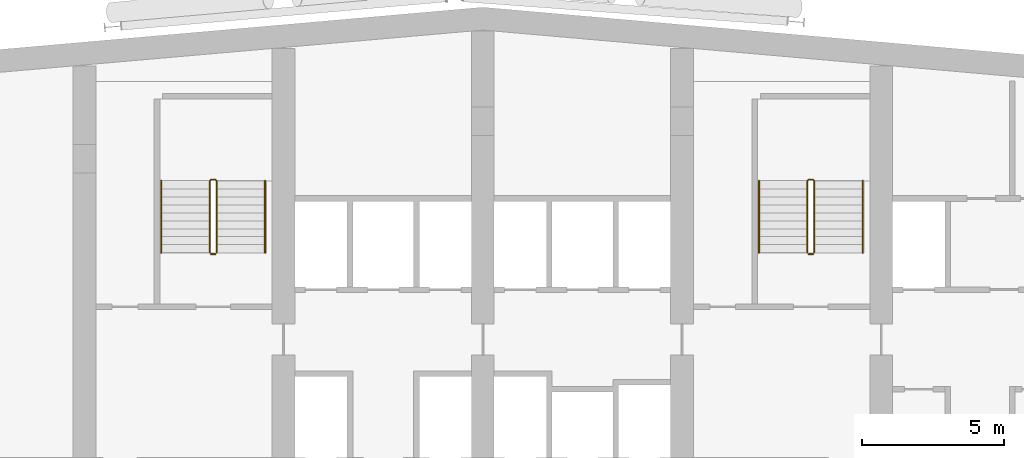
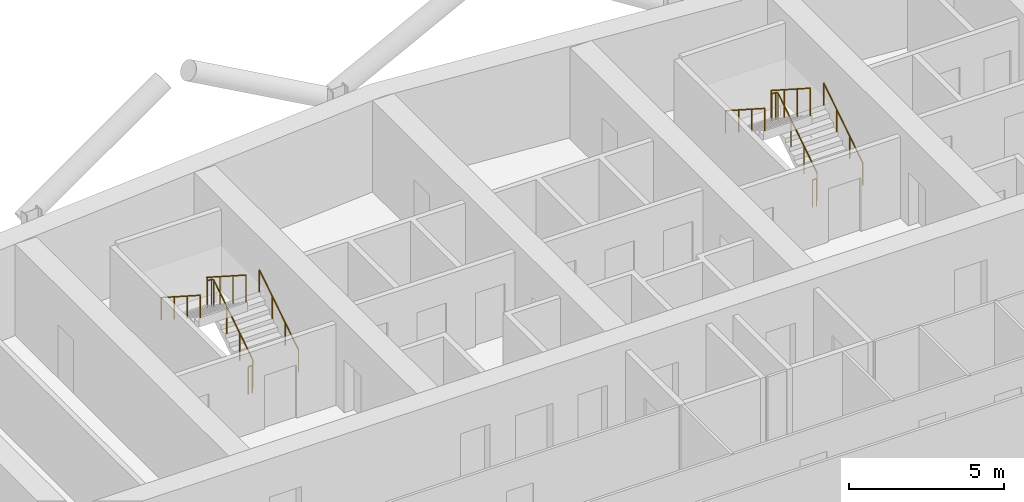
# One storey, part 29 of 29: 8 railings.
"""IFC4 building model written with IfcOpenShell, lengths in metres."""

from ifc_helpers import new_model, si_unit, direction, frame, origin, origin_2d, place, context, subcontext, project, spatial, circle, extrude, material, type_object, element, save


model = new_model("IFC4")

# Units and contexts
model_context = context("Model", 3, precision=1e-05, world=origin(), true_north=direction((0.0, 1.0)))
body_context = subcontext(model_context, "Body", "Model", "MODEL_VIEW")
ifc_project = project(units=[si_unit("LENGTHUNIT", "METRE"), si_unit("AREAUNIT", "SQUARE_METRE"), si_unit("VOLUMEUNIT", "CUBIC_METRE"), si_unit("PLANEANGLEUNIT", "RADIAN"), si_unit("MASSUNIT", "GRAM", prefix="KILO")], contexts=[model_context])

# Site, building, storey
site_placement = place(None, origin())
site = spatial("IfcSite", under=ifc_project, at=site_placement, CompositionType="ELEMENT")
building_placement = place(site_placement, origin())
building = spatial("IfcBuilding", under=site, at=building_placement, Name="Wharfspan Tower", CompositionType="ELEMENT")
storey_placement = place(building_placement, frame((0.0, 0.0, 162.699951)))
storey = spatial("IfcBuildingStorey", under=building, at=storey_placement, Name="L39", CompositionType="ELEMENT", Elevation=162.699951)

# Railings
ifc_material = material(Name="Steel S355J2", Category="steel")
railing_type_1 = type_object("IfcRailingType", Name="Stair guard 1100", PredefinedType="GUARDRAIL", material=ifc_material)
railing_1_placement = place(storey_placement, frame((27.649902, 42.0, 0.179932)))
element("IfcRailing", 1, at=railing_1_placement, inside=storey, type_object=railing_type_1, Name="L39 ST1 stair guard 1", PredefinedType="GUARDRAIL", context=body_context, shape_type="SweptSolid", body=[
    extrude(circle(Radius=0.023926, at=origin_2d()), frame((0.0, 0.0, 1.076172), z_axis=(0.0, 0.841163, 0.540782), x_axis=(-1.0, 0.0, 0.0)), (0.0, 0.0, 1.0), 2.99585),
    extrude(circle(Radius=0.023926, at=origin_2d()), frame((0.0, 2.52002, 2.696289), z_axis=(-0.705376, 0.708834, 0.0), x_axis=(-0.708834, -0.705376, 0.0)), (0.0, 0.0, 1.0), 0.070557),
    extrude(circle(Radius=0.023926, at=origin_2d()), frame((-0.049805, 2.570068, 2.696289), z_axis=(-1.0, 0.0, 0.0), x_axis=(0.0, -1.0, 0.0)), (0.0, 0.0, 1.0), 0.150146),
    extrude(circle(Radius=0.023926, at=origin_2d()), frame((-0.199951, 2.570068, 2.696289), z_axis=(-0.258848, -0.258848, 0.930589), x_axis=(0.707107, -0.707107, 0.0)), (0.0, 0.0, 1.0), 0.193359),
    extrude(circle(Radius=0.023926, at=origin_2d()), frame((-0.25, 2.52002, 2.875977), z_axis=(0.0, -0.841163, 0.540782), x_axis=(1.0, 0.0, 0.0)), (0.0, 0.0, 1.0), 2.99585),
    extrude(circle(Radius=0.020996, at=origin_2d()), origin(), (0.0, 0.0, 1.0), 1.052002),
    extrude(circle(Radius=0.020996, at=origin_2d()), frame((0.0, 0.840088, 0.540039)), (0.0, 0.0, 1.0), 1.052002),
    extrude(circle(Radius=0.020996, at=origin_2d()), frame((0.0, 1.679932, 1.080078)), (0.0, 0.0, 1.0), 1.052002),
    extrude(circle(Radius=0.020996, at=origin_2d()), frame((0.0, 2.52002, 1.620117)), (0.0, 0.0, 1.0), 1.052002),
    extrude(circle(Radius=0.020996, at=origin_2d()), frame((-0.049805, 2.570068, 1.620117)), (0.0, 0.0, 1.0), 1.052002),
    extrude(circle(Radius=0.020996, at=origin_2d()), frame((-0.199951, 2.570068, 1.620117)), (0.0, 0.0, 1.0), 1.052002),
    extrude(circle(Radius=0.020996, at=origin_2d()), frame((-0.25, 2.52002, 1.800049)), (0.0, 0.0, 1.0), 1.052002),
    extrude(circle(Radius=0.020996, at=origin_2d()), frame((-0.25, 1.679932, 2.340088)), (0.0, 0.0, 1.0), 1.052002),
    extrude(circle(Radius=0.020996, at=origin_2d()), frame((-0.25, 0.840088, 2.880127)), (0.0, 0.0, 1.0), 1.052002),
    extrude(circle(Radius=0.020996, at=origin_2d()), frame((-0.25, 0.0, 3.420166)), (0.0, 0.0, 1.0), 1.052002),
])
railing_2_placement = place(storey_placement, frame((27.600098, 41.949951, 0.0)))
element("IfcRailing", 2, at=railing_2_placement, inside=storey, type_object=railing_type_1, Name="L39 ST1 stair guard 2", PredefinedType="GUARDRAIL", context=body_context, shape_type="SweptSolid", body=[
    extrude(circle(Radius=0.023926, at=origin_2d()), frame((0.0, 0.0, 1.076172), z_axis=(-1.0, 0.0, 0.0), x_axis=(0.0, -1.0, 0.0)), (0.0, 0.0, 1.0), 0.150146),
    extrude(circle(Radius=0.020996, at=origin_2d()), origin(), (0.0, 0.0, 1.0), 1.052002),
    extrude(circle(Radius=0.020996, at=origin_2d()), frame((-0.150146, 0.0, 0.0)), (0.0, 0.0, 1.0), 1.052002),
])
railing_3_placement = place(storey_placement, frame((48.649902, 42.0, 0.179932)))
element("IfcRailing", 3, at=railing_3_placement, inside=storey, type_object=railing_type_1, Name="L39 ST2 stair guard 1", PredefinedType="GUARDRAIL", context=body_context, shape_type="SweptSolid", body=[
    extrude(circle(Radius=0.023926, at=origin_2d()), frame((0.0, 0.0, 1.076172), z_axis=(0.0, 0.841163, 0.540782), x_axis=(-1.0, 0.0, 0.0)), (0.0, 0.0, 1.0), 2.99585),
    extrude(circle(Radius=0.023926, at=origin_2d()), frame((0.0, 2.52002, 2.696289), z_axis=(-0.705376, 0.708834, 0.0), x_axis=(-0.708834, -0.705376, 0.0)), (0.0, 0.0, 1.0), 0.070557),
    extrude(circle(Radius=0.023926, at=origin_2d()), frame((-0.049805, 2.570068, 2.696289), z_axis=(-1.0, 0.0, 0.0), x_axis=(0.0, -1.0, 0.0)), (0.0, 0.0, 1.0), 0.150146),
    extrude(circle(Radius=0.023926, at=origin_2d()), frame((-0.199951, 2.570068, 2.696289), z_axis=(-0.258848, -0.258848, 0.930589), x_axis=(0.707107, -0.707107, 0.0)), (0.0, 0.0, 1.0), 0.193359),
    extrude(circle(Radius=0.023926, at=origin_2d()), frame((-0.25, 2.52002, 2.875977), z_axis=(0.0, -0.841163, 0.540782), x_axis=(1.0, 0.0, 0.0)), (0.0, 0.0, 1.0), 2.99585),
    extrude(circle(Radius=0.020996, at=origin_2d()), origin(), (0.0, 0.0, 1.0), 1.052002),
    extrude(circle(Radius=0.020996, at=origin_2d()), frame((0.0, 0.840088, 0.540039)), (0.0, 0.0, 1.0), 1.052002),
    extrude(circle(Radius=0.020996, at=origin_2d()), frame((0.0, 1.679932, 1.080078)), (0.0, 0.0, 1.0), 1.052002),
    extrude(circle(Radius=0.020996, at=origin_2d()), frame((0.0, 2.52002, 1.620117)), (0.0, 0.0, 1.0), 1.052002),
    extrude(circle(Radius=0.020996, at=origin_2d()), frame((-0.049805, 2.570068, 1.620117)), (0.0, 0.0, 1.0), 1.052002),
    extrude(circle(Radius=0.020996, at=origin_2d()), frame((-0.199951, 2.570068, 1.620117)), (0.0, 0.0, 1.0), 1.052002),
    extrude(circle(Radius=0.020996, at=origin_2d()), frame((-0.25, 2.52002, 1.800049)), (0.0, 0.0, 1.0), 1.052002),
    extrude(circle(Radius=0.020996, at=origin_2d()), frame((-0.25, 1.679932, 2.340088)), (0.0, 0.0, 1.0), 1.052002),
    extrude(circle(Radius=0.020996, at=origin_2d()), frame((-0.25, 0.840088, 2.880127)), (0.0, 0.0, 1.0), 1.052002),
    extrude(circle(Radius=0.020996, at=origin_2d()), frame((-0.25, 0.0, 3.420166)), (0.0, 0.0, 1.0), 1.052002),
])
railing_4_placement = place(storey_placement, frame((48.600098, 41.949951, 0.0)))
element("IfcRailing", 4, at=railing_4_placement, inside=storey, type_object=railing_type_1, Name="L39 ST2 stair guard 2", PredefinedType="GUARDRAIL", context=body_context, shape_type="SweptSolid", body=[
    extrude(circle(Radius=0.023926, at=origin_2d()), frame((0.0, 0.0, 1.076172), z_axis=(-1.0, 0.0, 0.0), x_axis=(0.0, -1.0, 0.0)), (0.0, 0.0, 1.0), 0.150146),
    extrude(circle(Radius=0.020996, at=origin_2d()), origin(), (0.0, 0.0, 1.0), 1.052002),
    extrude(circle(Radius=0.020996, at=origin_2d()), frame((-0.150146, 0.0, 0.0)), (0.0, 0.0, 1.0), 1.052002),
])
railing_type_2 = type_object("IfcRailingType", Name="Stair handrail 900", PredefinedType="HANDRAIL", material=ifc_material)
railing_5_placement = place(storey_placement, frame((29.350098, 42.0, 0.179932)))
element("IfcRailing", 5, at=railing_5_placement, inside=storey, type_object=railing_type_2, Name="L39 ST1 stair handrail 1", PredefinedType="HANDRAIL", context=body_context, shape_type="SweptSolid", body=[
    extrude(circle(Radius=0.023926, at=origin_2d()), frame((0.0, 0.0, 0.875977), z_axis=(0.0, 0.841163, 0.540782), x_axis=(-1.0, 0.0, 0.0)), (0.0, 0.0, 1.0), 2.99585),
    extrude(circle(Radius=0.020996, at=origin_2d()), origin(), (0.0, 0.0, 1.0), 0.851807),
    extrude(circle(Radius=0.020996, at=origin_2d()), frame((0.0, 0.840088, 0.540039)), (0.0, 0.0, 1.0), 0.851807),
    extrude(circle(Radius=0.020996, at=origin_2d()), frame((0.0, 1.679932, 1.080078)), (0.0, 0.0, 1.0), 0.851807),
    extrude(circle(Radius=0.020996, at=origin_2d()), frame((0.0, 2.52002, 1.620117)), (0.0, 0.0, 1.0), 0.851807),
])
railing_6_placement = place(storey_placement, frame((25.699951, 44.52002, 1.97998)))
element("IfcRailing", 6, at=railing_6_placement, inside=storey, type_object=railing_type_2, Name="L39 ST1 stair handrail 2", PredefinedType="HANDRAIL", context=body_context, shape_type="SweptSolid", body=[
    extrude(circle(Radius=0.023926, at=origin_2d()), frame((0.0, 0.0, 0.875977), z_axis=(0.0, -0.841163, 0.540782), x_axis=(1.0, 0.0, 0.0)), (0.0, 0.0, 1.0), 2.99585),
    extrude(circle(Radius=0.020996, at=origin_2d()), origin(), (0.0, 0.0, 1.0), 0.851807),
    extrude(circle(Radius=0.020996, at=origin_2d()), frame((0.0, -0.840088, 0.540039)), (0.0, 0.0, 1.0), 0.851807),
    extrude(circle(Radius=0.020996, at=origin_2d()), frame((0.0, -1.679932, 1.080078)), (0.0, 0.0, 1.0), 0.851807),
    extrude(circle(Radius=0.020996, at=origin_2d()), frame((0.0, -2.52002, 1.620117)), (0.0, 0.0, 1.0), 0.851807),
])
railing_7_placement = place(storey_placement, frame((50.350098, 42.0, 0.179932)))
element("IfcRailing", 7, at=railing_7_placement, inside=storey, type_object=railing_type_2, Name="L39 ST2 stair handrail 1", PredefinedType="HANDRAIL", context=body_context, shape_type="SweptSolid", body=[
    extrude(circle(Radius=0.023926, at=origin_2d()), frame((0.0, 0.0, 0.875977), z_axis=(0.0, 0.841163, 0.540782), x_axis=(-1.0, 0.0, 0.0)), (0.0, 0.0, 1.0), 2.99585),
    extrude(circle(Radius=0.020996, at=origin_2d()), origin(), (0.0, 0.0, 1.0), 0.851807),
    extrude(circle(Radius=0.020996, at=origin_2d()), frame((0.0, 0.840088, 0.540039)), (0.0, 0.0, 1.0), 0.851807),
    extrude(circle(Radius=0.020996, at=origin_2d()), frame((0.0, 1.679932, 1.080078)), (0.0, 0.0, 1.0), 0.851807),
    extrude(circle(Radius=0.020996, at=origin_2d()), frame((0.0, 2.52002, 1.620117)), (0.0, 0.0, 1.0), 0.851807),
])
railing_8_placement = place(storey_placement, frame((46.699951, 44.52002, 1.97998)))
element("IfcRailing", 8, at=railing_8_placement, inside=storey, type_object=railing_type_2, Name="L39 ST2 stair handrail 2", PredefinedType="HANDRAIL", context=body_context, shape_type="SweptSolid", body=[
    extrude(circle(Radius=0.023926, at=origin_2d()), frame((0.0, 0.0, 0.875977), z_axis=(0.0, -0.841163, 0.540782), x_axis=(1.0, 0.0, 0.0)), (0.0, 0.0, 1.0), 2.99585),
    extrude(circle(Radius=0.020996, at=origin_2d()), origin(), (0.0, 0.0, 1.0), 0.851807),
    extrude(circle(Radius=0.020996, at=origin_2d()), frame((0.0, -0.840088, 0.540039)), (0.0, 0.0, 1.0), 0.851807),
    extrude(circle(Radius=0.020996, at=origin_2d()), frame((0.0, -1.679932, 1.080078)), (0.0, 0.0, 1.0), 0.851807),
    extrude(circle(Radius=0.020996, at=origin_2d()), frame((0.0, -2.52002, 1.620117)), (0.0, 0.0, 1.0), 0.851807),
])

save(model, "model.ifc")
